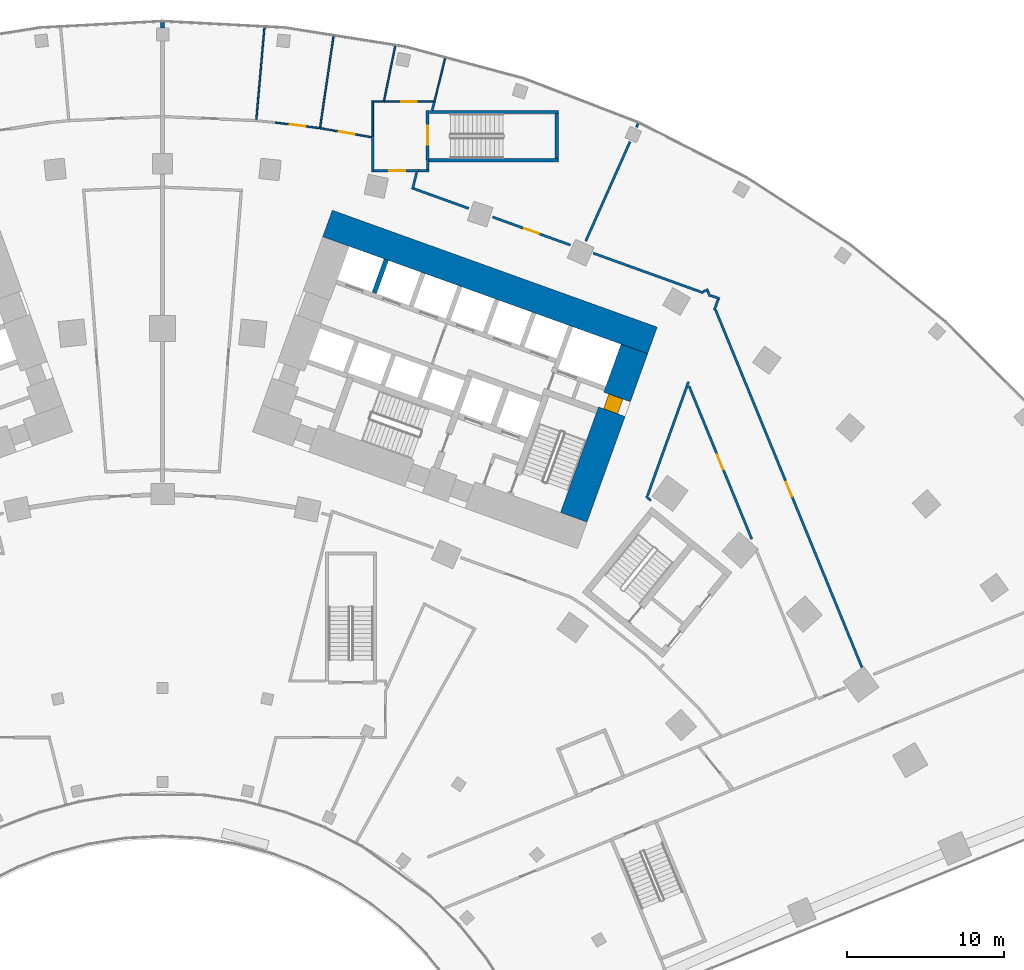
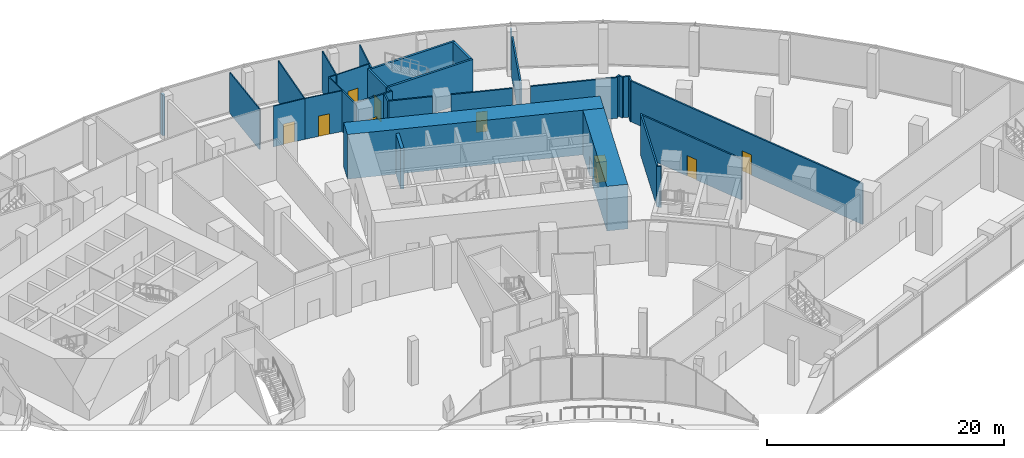
# One storey, part 28 of 39: 36 walls, 9 doors, 9 openings.
"""IFC4 building model written with IfcOpenShell, lengths in metres."""

from ifc_helpers import new_model, si_unit, direction, frame, frame_2d, origin, place, context, subcontext, project, spatial, rectangle, extrude, material, layer, layer_set, type_object, element, fill, save


model = new_model("IFC4")

# Units and contexts
model_context = context("Model", 3, precision=1e-05, world=origin(), true_north=direction((0.0, 1.0)))
body_context = subcontext(model_context, "Body", "Model", "MODEL_VIEW")
ifc_project = project(units=[si_unit("LENGTHUNIT", "METRE"), si_unit("AREAUNIT", "SQUARE_METRE"), si_unit("VOLUMEUNIT", "CUBIC_METRE"), si_unit("PLANEANGLEUNIT", "RADIAN"), si_unit("MASSUNIT", "GRAM", prefix="KILO")], contexts=[model_context])

# Site, building, storey
site_placement = place(None, origin())
site = spatial("IfcSite", under=ifc_project, at=site_placement, CompositionType="ELEMENT")
building_placement = place(site_placement, origin())
building = spatial("IfcBuilding", under=site, at=building_placement, Name="Stone Belt Terrace Tower", CompositionType="ELEMENT")
storey_placement = place(building_placement, frame((0.0, 0.0, 16.199951171875)))
storey = spatial("IfcBuildingStorey", under=building, at=storey_placement, Name="L03", CompositionType="ELEMENT", Elevation=16.199951171875)

# Walls
ifc_material_1 = material(Name="Concrete B30", Category="concrete")
ifc_layer_1 = layer(ifc_material_1, 0.25)
ifc_layer_set_1 = layer_set([ifc_layer_1], Name="Compartment wall 250")
wall_type_1 = type_object("IfcWallType", Name="Compartment wall 250", PredefinedType="SOLIDWALL", material=ifc_layer_set_1)
wall_1_placement = place(storey_placement, frame((0.0, 74.14794921875, 0.0), z_axis=(0.0, 0.0, 1.0), x_axis=(0.0, 1.0, 0.0)))
element("IfcWall", 1, at=wall_1_placement, inside=storey, type_object=wall_type_1, Name="Compartment wall L03 10", PredefinedType="SOLIDWALL", context=body_context, shape_type="SweptSolid", body=[
    extrude(rectangle(XDim=0.35205078125, YDim=0.25, at=frame_2d((0.176025390625, 0.0))), origin(), (0.0, 0.0, 1.0), 4.199951171875),
])
ifc_material_2 = material(Name="Concrete B80", Category="concrete")
ifc_layer_2 = layer(ifc_material_2, 1.800048828125)
ifc_layer_set_2 = layer_set([ifc_layer_2], Name="Core wall 1800 B80")
wall_type_2 = type_object("IfcWallType", Name="Core wall 1800 B80", PredefinedType="SHEAR", material=ifc_layer_set_2)
wall_2_placement = place(storey_placement, frame((10.509033203125, 61.685546875, 0.0), z_axis=(0.0, 0.0, 1.0), x_axis=(0.940922914687, -0.338620833112, 0.0)))
element("IfcWall", 2, at=wall_2_placement, inside=storey, type_object=wall_type_2, Name="Core B wall convex L03", PredefinedType="SHEAR", context=body_context, shape_type="SweptSolid", body=[
    extrude(rectangle(XDim=22.000244140625, YDim=1.800048828125, at=frame_2d((11.0, 0.0))), origin(), (0.0, 0.0, 1.0), 4.60009765625),
])

# Wall, opening, door
wall_3_placement = place(storey_placement, frame((26.197509765625, 42.96728515625, 0.0), z_axis=(0.0, 0.0, 1.0), x_axis=(0.338625431531, 0.940921259788, 0.0)))
wall_3 = element("IfcWall", 3, at=wall_3_placement, inside=storey, type_object=wall_type_2, Name="Core B wall end_b L03", PredefinedType="SHEAR", context=body_context, shape_type="SweptSolid", body=[
    extrude(rectangle(XDim=11.400146484375, YDim=1.800048828125, at=frame_2d((5.7001953125, 0.0))), origin(), (0.0, 0.0, 1.0), 4.60009765625),
])
opening_1_placement = place(wall_3_placement, frame((7.150146484375, 0.0, 0.0)))
opening_1 = element("IfcOpeningElement", 4, at=opening_1_placement, cuts=wall_3, Name="Opening L03-C12", PredefinedType="OPENING", context=body_context, shape_type="SweptSolid", body=[
    extrude(rectangle(XDim=1.0, YDim=2.10009765625, at=frame_2d((0.5, 1.050048828125))), frame((0.0, 0.909912109375, 0.0), z_axis=(0.0, -1.0, 0.0), x_axis=(1.0, 0.0, 0.0)), (0.0, 0.0, 1.0), 1.820068359375),
])
ifc_material_3 = material(Name="Timber door leaf", Category="wood")
door_type_1 = type_object("IfcDoorType", Name="Core room door 1000", OperationType="SINGLE_SWING_LEFT", PredefinedType="DOOR", material=ifc_material_3)
door_1_placement = place(opening_1_placement, origin())
door_1 = element("IfcDoor", 5, at=door_1_placement, inside=storey, type_object=door_type_1, Name="Door to Telecommunications riser room core B", OperationType="SINGLE_SWING_RIGHT", OverallHeight=2.10009765625, OverallWidth=1.0, PredefinedType="DOOR", context=body_context, shape_type="SweptSolid", body=[
    extrude(rectangle(XDim=1.0, YDim=2.10009765625, at=frame_2d((0.5, 1.050048828125))), frame((0.0, 0.55517578125, 0.0), z_axis=(0.0, -1.0, 0.0), x_axis=(1.0, 0.0, 0.0)), (0.0, 0.0, 1.0), 0.949951171875),
])
fill(opening_1, door_1)

# Walls
ifc_layer_3 = layer(ifc_material_2, 0.300048828125)
ifc_layer_set_3 = layer_set([ifc_layer_3], Name="Lift shaft wall 300")
wall_type_3 = type_object("IfcWallType", Name="Lift shaft wall 300", PredefinedType="SHEAR", material=ifc_layer_set_3)
wall_4_placement = place(storey_placement, frame((13.48828125, 57.265625, 0.0), z_axis=(0.0, 0.0, 1.0), x_axis=(0.338631098537, 0.940919220286, 0.0)))
element("IfcWall", 6, at=wall_4_placement, inside=storey, type_object=wall_type_3, Name="Core B wall", PredefinedType="SHEAR", context=body_context, shape_type="SweptSolid", body=[
    extrude(rectangle(XDim=2.250244140625, YDim=0.300048828125, at=frame_2d((1.125, 0.0))), origin(), (0.0, 0.0, 1.0), 4.199951171875),
])
ifc_material_4 = material(Name="Gypsum board on steel stud partition", Category="steel")
ifc_layer_4 = layer(ifc_material_4, 0.14990234375)
ifc_layer_set_4 = layer_set([ifc_layer_4], Name="Podium partition 150")
wall_type_4 = type_object("IfcWallType", Name="Podium partition 150", PredefinedType="PARTITIONING", material=ifc_layer_set_4)
wall_5_placement = place(storey_placement, frame((13.389892578125, 64.97509765625, 0.0), z_axis=(0.0, 0.0, 1.0), x_axis=(0.0, 1.0, 0.0)))
element("IfcWall", 7, at=wall_5_placement, inside=storey, type_object=wall_type_4, Name="Podium partition 150", PredefinedType="PARTITIONING", context=body_context, shape_type="SweptSolid", body=[
    extrude(rectangle(XDim=2.204833984375, YDim=0.14990234375, at=frame_2d((1.1025390625, 0.0))), origin(), (0.0, 0.0, 1.0), 4.199951171875),
])

# Wall, opening, door
wall_6_placement = place(storey_placement, frame((13.465087890625, 65.050048828125, 0.0), z_axis=(0.0, 0.0, 1.0), x_axis=(1.0, 0.0, 0.0)))
wall_6 = element("IfcWall", 8, at=wall_6_placement, inside=storey, type_object=wall_type_4, Name="Podium partition 150", PredefinedType="PARTITIONING", context=body_context, shape_type="SweptSolid", body=[
    extrude(rectangle(XDim=2.832275390625, YDim=0.14990234375, at=frame_2d((1.416015625, 0.0))), origin(), (0.0, 0.0, 1.0), 4.199951171875),
])
opening_2_placement = place(wall_6_placement, frame((0.992919921875, 0.0, 0.0)))
opening_2 = element("IfcOpeningElement", 9, at=opening_2_placement, cuts=wall_6, Name="Opening L03-P38", PredefinedType="OPENING", context=body_context, shape_type="SweptSolid", body=[
    extrude(rectangle(XDim=1.0, YDim=2.10009765625, at=frame_2d((0.5, 1.050048828125))), frame((0.0, 0.0849609375, 0.0), z_axis=(0.0, -1.0, 0.0), x_axis=(1.0, 0.0, 0.0)), (0.0, 0.0, 1.0), 0.169921875),
])
ifc_material_5 = material(Name="Steel framed door leaf", Category="steel")
door_type_2 = type_object("IfcDoorType", Name="Podium door single 1000", OperationType="SINGLE_SWING_LEFT", PredefinedType="DOOR", material=ifc_material_5)
door_2_placement = place(opening_2_placement, origin())
door_2 = element("IfcDoor", 10, at=door_2_placement, inside=storey, type_object=door_type_2, Name="Podium door single 1000", OperationType="SINGLE_SWING_RIGHT", OverallHeight=2.10009765625, OverallWidth=1.0, PredefinedType="DOOR", context=body_context, shape_type="SweptSolid", body=[
    extrude(rectangle(XDim=1.0, YDim=2.10009765625, at=frame_2d((0.5, 1.050048828125))), frame((0.0, 0.02490234375, 0.0), z_axis=(0.0, -1.0, 0.0), x_axis=(1.0, 0.0, 0.0)), (0.0, 0.0, 1.0), 0.050048828125),
])
fill(opening_2, door_2)

# Walls
wall_7_placement = place(storey_placement, frame((15.921630859375, 63.85693359375, 0.0), z_axis=(0.0, 0.0, 1.0), x_axis=(0.242535625036, 0.970142500145, 0.0)))
element("IfcWall", 11, at=wall_7_placement, inside=storey, type_object=wall_type_4, Name="Podium partition 150", PredefinedType="PARTITIONING", context=body_context, shape_type="SweptSolid", body=[
    extrude(rectangle(XDim=1.13232421875, YDim=0.14990234375, at=frame_2d((0.566162109375, 0.0))), origin(), (0.0, 0.0, 1.0), 4.199951171875),
])
wall_8_placement = place(storey_placement, frame((16.010986328125, 63.904541015625, 0.0), z_axis=(0.0, 0.0, 1.0), x_axis=(0.940825500565, -0.338891394826, 0.0)))
element("IfcWall", 12, at=wall_8_placement, inside=storey, type_object=wall_type_4, Name="Podium partition 150", PredefinedType="PARTITIONING", context=body_context, shape_type="SweptSolid", body=[
    extrude(rectangle(XDim=3.720947265625, YDim=0.14990234375, at=frame_2d((1.8603515625, 0.0))), origin(), (0.0, 0.0, 1.0), 4.199951171875),
])

# Wall, opening, door
wall_9_placement = place(storey_placement, frame((21.025634765625, 62.09814453125, 0.0), z_axis=(0.0, 0.0, 1.0), x_axis=(0.94083251558, -0.338871919207, 0.0)))
wall_9 = element("IfcWall", 13, at=wall_9_placement, inside=storey, type_object=wall_type_4, Name="Podium partition 150", PredefinedType="PARTITIONING", context=body_context, shape_type="SweptSolid", body=[
    extrude(rectangle(XDim=5.273681640625, YDim=0.14990234375, at=frame_2d((2.63671875, 0.0))), origin(), (0.0, 0.0, 1.0), 4.199951171875),
])
opening_3_placement = place(wall_9_placement, frame((2.13671875, 0.0, 0.0)))
opening_3 = element("IfcOpeningElement", 14, at=opening_3_placement, cuts=wall_9, Name="Opening L03-P35", PredefinedType="OPENING", context=body_context, shape_type="SweptSolid", body=[
    extrude(rectangle(XDim=1.0, YDim=2.10009765625, at=frame_2d((0.5, 1.050048828125))), frame((0.0, 0.0849609375, 0.0), z_axis=(0.0, -1.0, 0.0), x_axis=(1.0, 0.0, 0.0)), (0.0, 0.0, 1.0), 0.169921875),
])
door_3_placement = place(opening_3_placement, origin())
door_3 = element("IfcDoor", 15, at=door_3_placement, inside=storey, type_object=door_type_2, Name="Podium door single 1000", OperationType="SINGLE_SWING_LEFT", OverallHeight=2.10009765625, OverallWidth=1.0, PredefinedType="DOOR", context=body_context, shape_type="SweptSolid", body=[
    extrude(rectangle(XDim=1.0, YDim=2.10009765625, at=frame_2d((0.5, 1.050048828125))), frame((0.0, 0.02490234375, 0.0), z_axis=(0.0, -1.0, 0.0), x_axis=(1.0, 0.0, 0.0)), (0.0, 0.0, 1.0), 0.050048828125),
])
fill(opening_3, door_3)

# Walls
wall_10_placement = place(storey_placement, frame((16.298095703125, 65.050048828125, 0.0), z_axis=(0.0, 0.0, 1.0), x_axis=(1.0, 0.0, 0.0)))
element("IfcWall", 16, at=wall_10_placement, inside=storey, type_object=wall_type_4, Name="Podium partition 150", PredefinedType="PARTITIONING", context=body_context, shape_type="SweptSolid", body=[
    extrude(rectangle(XDim=0.6669921875, YDim=0.14990234375, at=frame_2d((0.33349609375, 0.0))), origin(), (0.0, 0.0, 1.0), 4.199951171875),
])
wall_11_placement = place(storey_placement, frame((16.889892578125, 65.125, 0.0), z_axis=(0.0, 0.0, 1.0), x_axis=(0.0, 1.0, 0.0)))
element("IfcWall", 17, at=wall_11_placement, inside=storey, type_object=wall_type_4, Name="Podium partition 150", PredefinedType="PARTITIONING", context=body_context, shape_type="SweptSolid", body=[
    extrude(rectangle(XDim=0.594970703125, YDim=0.14990234375, at=frame_2d((0.29736328125, 0.0))), origin(), (0.0, 0.0, 1.0), 4.199951171875),
])
wall_12_placement = place(storey_placement, frame((17.180419921875, 68.8994140625, 0.0), z_axis=(0.0, 0.0, 1.0), x_axis=(0.245570229012, 0.969378802441, 0.0)))
element("IfcWall", 18, at=wall_12_placement, inside=storey, type_object=wall_type_4, Name="Podium partition 150", PredefinedType="PARTITIONING", context=body_context, shape_type="SweptSolid", body=[
    extrude(rectangle(XDim=0.567626953125, YDim=0.14990234375, at=frame_2d((0.28369140625, 0.0))), origin(), (0.0, 0.0, 1.0), 4.199951171875),
])
wall_13_placement = place(storey_placement, frame((26.96142578125, 60.569091796875, 0.0), z_axis=(0.0, 0.0, 1.0), x_axis=(0.407084398772, 0.913390547508, 0.0)))
element("IfcWall", 19, at=wall_13_placement, inside=storey, type_object=wall_type_4, Name="Podium partition 150", PredefinedType="PARTITIONING", context=body_context, shape_type="SweptSolid", body=[
    extrude(rectangle(XDim=6.919189453125, YDim=0.14990234375, at=frame_2d((3.45947265625, 0.0))), origin(), (0.0, 0.0, 1.0), 4.199951171875),
])
wall_14_placement = place(storey_placement, frame((30.193359375, 67.820556640625, 0.0), z_axis=(0.0, 0.0, 1.0), x_axis=(0.406915883642, 0.91346563353, 0.0)))
element("IfcWall", 20, at=wall_14_placement, inside=storey, type_object=wall_type_4, Name="Podium partition 150", PredefinedType="PARTITIONING", context=body_context, shape_type="SweptSolid", body=[
    extrude(rectangle(XDim=0.26220703125, YDim=0.14990234375, at=frame_2d((0.131103515625, 0.0))), origin(), (0.0, 0.0, 1.0), 4.199951171875),
])
wall_15_placement = place(storey_placement, frame((27.44580078125, 59.792236328125, 0.0), z_axis=(0.0, 0.0, 1.0), x_axis=(0.94087110023, -0.338764774957, 0.0)))
element("IfcWall", 21, at=wall_15_placement, inside=storey, type_object=wall_type_4, Name="Podium partition 150", PredefinedType="PARTITIONING", context=body_context, shape_type="SweptSolid", body=[
    extrude(rectangle(XDim=7.441650390625, YDim=0.14990234375, at=frame_2d((3.720703125, 0.0))), origin(), (0.0, 0.0, 1.0), 4.199951171875),
])
wall_16_placement = place(storey_placement, frame((30.798828125, 44.301513671875, 0.0), z_axis=(0.0, 0.0, 1.0), x_axis=(0.76570486479, -0.643192086423, 0.0)))
element("IfcWall", 22, at=wall_16_placement, inside=storey, type_object=wall_type_4, Name="Podium partition 150", PredefinedType="PARTITIONING", context=body_context, shape_type="SweptSolid", body=[
    extrude(rectangle(XDim=0.406494140625, YDim=0.14990234375, at=frame_2d((0.203125, 0.0))), origin(), (0.0, 0.0, 1.0), 4.199951171875),
])
wall_17_placement = place(storey_placement, frame((30.893310546875, 44.342041015625, 0.0), z_axis=(0.0, 0.0, 1.0), x_axis=(0.338691469888, 0.940897490817, 0.0)))
element("IfcWall", 23, at=wall_17_placement, inside=storey, type_object=wall_type_4, Name="Podium partition 150", PredefinedType="PARTITIONING", context=body_context, shape_type="SweptSolid", body=[
    extrude(rectangle(XDim=7.719482421875, YDim=0.14990234375, at=frame_2d((3.85986328125, 0.0))), origin(), (0.0, 0.0, 1.0), 4.199951171875),
])

# Wall, opening, door
wall_18_placement = place(storey_placement, frame((33.54345703125, 51.320556640625, 0.0), z_axis=(0.0, 0.0, 1.0), x_axis=(0.379280396549, -0.925281784536, 0.0)))
wall_18 = element("IfcWall", 24, at=wall_18_placement, inside=storey, type_object=wall_type_4, Name="Podium partition 150", PredefinedType="PARTITIONING", context=body_context, shape_type="SweptSolid", body=[
    extrude(rectangle(XDim=10.5244140625, YDim=0.14990234375, at=frame_2d((5.26220703125, 0.0))), origin(), (0.0, 0.0, 1.0), 4.199951171875),
])
opening_4_placement = place(wall_18_placement, frame((4.72119140625, 0.0, 0.0)))
opening_4 = element("IfcOpeningElement", 25, at=opening_4_placement, cuts=wall_18, Name="Opening L03-P34", PredefinedType="OPENING", context=body_context, shape_type="SweptSolid", body=[
    extrude(rectangle(XDim=1.0, YDim=2.10009765625, at=frame_2d((0.5, 1.050048828125))), frame((0.0, 0.0849609375, 0.0), z_axis=(0.0, -1.0, 0.0), x_axis=(1.0, 0.0, 0.0)), (0.0, 0.0, 1.0), 0.169921875),
])
door_4_placement = place(opening_4_placement, origin())
door_4 = element("IfcDoor", 26, at=door_4_placement, inside=storey, type_object=door_type_2, Name="Podium door single 1000", OperationType="SINGLE_SWING_RIGHT", OverallHeight=2.10009765625, OverallWidth=1.0, PredefinedType="DOOR", context=body_context, shape_type="SweptSolid", body=[
    extrude(rectangle(XDim=1.0, YDim=2.10009765625, at=frame_2d((0.5, 1.050048828125))), frame((0.0, 0.02490234375, 0.0), z_axis=(0.0, -1.0, 0.0), x_axis=(1.0, 0.0, 0.0)), (0.0, 0.0, 1.0), 0.050048828125),
])
fill(opening_4, door_4)

# Walls
wall_19_placement = place(storey_placement, frame((34.4462890625, 57.351318359375, 0.0), z_axis=(0.0, 0.0, 1.0), x_axis=(0.931925512589, 0.36264974698, 0.0)))
element("IfcWall", 27, at=wall_19_placement, inside=storey, type_object=wall_type_4, Name="Podium partition 150", PredefinedType="PARTITIONING", context=body_context, shape_type="SweptSolid", body=[
    extrude(rectangle(XDim=0.347412109375, YDim=0.14990234375, at=frame_2d((0.173828125, 0.0))), origin(), (0.0, 0.0, 1.0), 4.199951171875),
])
wall_20_placement = place(storey_placement, frame((34.72998046875, 57.381103515625, 0.0), z_axis=(0.0, 0.0, 1.0), x_axis=(0.401395188733, -0.915904963663, 0.0)))
element("IfcWall", 28, at=wall_20_placement, inside=storey, type_object=wall_type_4, Name="Podium partition 150", PredefinedType="PARTITIONING", context=body_context, shape_type="SweptSolid", body=[
    extrude(rectangle(XDim=0.377685546875, YDim=0.14990234375, at=frame_2d((0.18896484375, 0.0))), origin(), (0.0, 0.0, 1.0), 4.199951171875),
])
wall_21_placement = place(storey_placement, frame((34.937255859375, 57.0947265625, 0.0), z_axis=(0.0, 0.0, 1.0), x_axis=(0.940325382073, -0.340276616637, 0.0)))
element("IfcWall", 29, at=wall_21_placement, inside=storey, type_object=wall_type_4, Name="Podium partition 150", PredefinedType="PARTITIONING", context=body_context, shape_type="SweptSolid", body=[
    extrude(rectangle(XDim=0.58837890625, YDim=0.14990234375, at=frame_2d((0.294189453125, 0.0))), origin(), (0.0, 0.0, 1.0), 4.199951171875),
])
wall_22_placement = place(storey_placement, frame((35.152099609375, 56.174560546875, 0.0), z_axis=(0.0, 0.0, 1.0), x_axis=(0.338104492139, 0.941108576305, 0.0)))
element("IfcWall", 30, at=wall_22_placement, inside=storey, type_object=wall_type_4, Name="Podium partition 150", PredefinedType="PARTITIONING", context=body_context, shape_type="SweptSolid", body=[
    extrude(rectangle(XDim=0.717041015625, YDim=0.14990234375, at=frame_2d((0.3583984375, 0.0))), origin(), (0.0, 0.0, 1.0), 4.199951171875),
])

# Wall, opening, door
wall_23_placement = place(storey_placement, frame((35.232421875, 56.17626953125, 0.0), z_axis=(0.0, 0.0, 1.0), x_axis=(0.378909490347, -0.925433735134, 0.0)))
wall_23 = element("IfcWall", 31, at=wall_23_placement, inside=storey, type_object=wall_type_4, Name="Podium partition 150", PredefinedType="PARTITIONING", context=body_context, shape_type="SweptSolid", body=[
    extrude(rectangle(XDim=24.671142578125, YDim=0.14990234375, at=frame_2d((12.33544921875, 0.0))), origin(), (0.0, 0.0, 1.0), 4.199951171875),
])
opening_5_placement = place(wall_23_placement, frame((11.835693359375, 0.0, 0.0)))
opening_5 = element("IfcOpeningElement", 32, at=opening_5_placement, cuts=wall_23, Name="Opening L03-P33", PredefinedType="OPENING", context=body_context, shape_type="SweptSolid", body=[
    extrude(rectangle(XDim=1.0, YDim=2.10009765625, at=frame_2d((0.5, 1.050048828125))), frame((0.0, 0.0849609375, 0.0), z_axis=(0.0, -1.0, 0.0), x_axis=(1.0, 0.0, 0.0)), (0.0, 0.0, 1.0), 0.169921875),
])
door_5_placement = place(opening_5_placement, origin())
door_5 = element("IfcDoor", 33, at=door_5_placement, inside=storey, type_object=door_type_2, Name="Podium door single 1000", OperationType="SINGLE_SWING_LEFT", OverallHeight=2.10009765625, OverallWidth=1.0, PredefinedType="DOOR", context=body_context, shape_type="SweptSolid", body=[
    extrude(rectangle(XDim=1.0, YDim=2.10009765625, at=frame_2d((0.5, 1.050048828125))), frame((0.0, 0.02490234375, 0.0), z_axis=(0.0, -1.0, 0.0), x_axis=(1.0, 0.0, 0.0)), (0.0, 0.0, 1.0), 0.050048828125),
])
fill(opening_5, door_5)

ifc_layer_5 = layer(ifc_material_1, 0.199951171875)
ifc_layer_set_5 = layer_set([ifc_layer_5], Name="Podium stair and shaft wall 200")
wall_type_5 = type_object("IfcWallType", Name="Podium stair and shaft wall 200", PredefinedType="SOLIDWALL", material=ifc_layer_set_5)
wall_24_placement = place(storey_placement, frame((16.889892578125, 65.719970703125, 0.0), z_axis=(0.0, 0.0, 1.0), x_axis=(0.0, 1.0, 0.0)))
wall_24 = element("IfcWall", 34, at=wall_24_placement, inside=storey, type_object=wall_type_5, Name="Podium stair and shaft wall 200", PredefinedType="SOLIDWALL", context=body_context, shape_type="SweptSolid", body=[
    extrude(rectangle(XDim=3.159912109375, YDim=0.199951171875, at=frame_2d((1.580078125, 0.0))), origin(), (0.0, 0.0, 1.0), 4.199951171875),
])
opening_6_placement = place(wall_24_placement, frame((0.97998046875, 0.0, 0.0)))
opening_6 = element("IfcOpeningElement", 35, at=opening_6_placement, cuts=wall_24, Name="Opening L03-P08", PredefinedType="OPENING", context=body_context, shape_type="SweptSolid", body=[
    extrude(rectangle(XDim=1.199951171875, YDim=2.10009765625, at=frame_2d((0.60009765625, 1.050048828125))), frame((0.0, 0.10986328125, 0.0), z_axis=(0.0, -1.0, 0.0), x_axis=(1.0, 0.0, 0.0)), (0.0, 0.0, 1.0), 0.219970703125),
])
door_type_3 = type_object("IfcDoorType", Name="Podium door fire stair 1200", OperationType="SINGLE_SWING_LEFT", PredefinedType="DOOR", material=ifc_material_5)
door_6_placement = place(opening_6_placement, origin())
door_6 = element("IfcDoor", 36, at=door_6_placement, inside=storey, type_object=door_type_3, Name="Podium door fire stair 1200", OperationType="SINGLE_SWING_RIGHT", OverallHeight=2.10009765625, OverallWidth=1.199951171875, PredefinedType="DOOR", context=body_context, shape_type="SweptSolid", body=[
    extrude(rectangle(XDim=1.199951171875, YDim=2.10009765625, at=frame_2d((0.60009765625, 1.050048828125))), frame((0.0, 0.02490234375, 0.0), z_axis=(0.0, -1.0, 0.0), x_axis=(1.0, 0.0, 0.0)), (0.0, 0.0, 1.0), 0.050048828125),
])
fill(opening_6, door_6)

# Walls
wall_25_placement = place(storey_placement, frame((16.989990234375, 65.719970703125, 0.0), z_axis=(0.0, 0.0, 1.0), x_axis=(1.0, 0.0, 0.0)))
element("IfcWall", 37, at=wall_25_placement, inside=storey, type_object=wall_type_5, Name="Podium stair and shaft wall 200", PredefinedType="SOLIDWALL", context=body_context, shape_type="SweptSolid", body=[
    extrude(rectangle(XDim=8.219970703125, YDim=0.199951171875, at=frame_2d((4.10986328125, 0.0))), origin(), (0.0, 0.0, 1.0), 4.199951171875),
])
wall_26_placement = place(storey_placement, frame((16.991943359375, 68.780029296875, 0.0), z_axis=(0.0, 0.0, 1.0), x_axis=(1.0, 0.0, 0.0)))
element("IfcWall", 38, at=wall_26_placement, inside=storey, type_object=wall_type_5, Name="Podium stair and shaft wall 200", PredefinedType="SOLIDWALL", context=body_context, shape_type="SweptSolid", body=[
    extrude(rectangle(XDim=8.218017578125, YDim=0.199951171875, at=frame_2d((4.10888671875, 0.0))), origin(), (0.0, 0.0, 1.0), 4.199951171875),
])
wall_27_placement = place(storey_placement, frame((25.110107421875, 65.820068359375, 0.0), z_axis=(0.0, 0.0, 1.0), x_axis=(0.0, 1.0, 0.0)))
element("IfcWall", 39, at=wall_27_placement, inside=storey, type_object=wall_type_5, Name="Podium stair and shaft wall 200", PredefinedType="SOLIDWALL", context=body_context, shape_type="SweptSolid", body=[
    extrude(rectangle(XDim=2.85986328125, YDim=0.199951171875, at=frame_2d((1.429931640625, 0.0))), origin(), (0.0, 0.0, 1.0), 4.199951171875),
])
ifc_material_6 = material(Name="Moisture-resistant board on steel stud partition", Category="steel")
ifc_layer_6 = layer(ifc_material_6, 0.10009765625)
ifc_layer_set_6 = layer_set([ifc_layer_6], Name="Podium toilet partition 100")
wall_type_6 = type_object("IfcWallType", Name="Podium toilet partition 100", PredefinedType="PARTITIONING", material=ifc_layer_set_6)
wall_28_placement = place(storey_placement, frame((5.9765625, 68.314697265625, 0.0), z_axis=(0.0, 0.0, 1.0), x_axis=(0.087488496258, 0.996165529931, 0.0)))
element("IfcWall", 40, at=wall_28_placement, inside=storey, type_object=wall_type_6, Name="Podium toilet partition 100", PredefinedType="PARTITIONING", context=body_context, shape_type="SweptSolid", body=[
    extrude(rectangle(XDim=5.92431640625, YDim=0.10009765625, at=frame_2d((2.962158203125, 0.0))), origin(), (0.0, 0.0, 1.0), 4.199951171875),
])

# Wall, opening, door
wall_29_placement = place(storey_placement, frame((7.16064453125, 68.119873046875, 0.0), z_axis=(0.0, 0.0, 1.0), x_axis=(0.99223102854, -0.124408946633, 0.0)))
wall_29 = element("IfcWall", 41, at=wall_29_placement, inside=storey, type_object=wall_type_6, Name="Podium toilet partition 100", PredefinedType="PARTITIONING", context=body_context, shape_type="SweptSolid", body=[
    extrude(rectangle(XDim=2.890625, YDim=0.10009765625, at=frame_2d((1.4453125, 0.0))), origin(), (0.0, 0.0, 1.0), 4.199951171875),
])
opening_7_placement = place(wall_29_placement, frame((0.9453125, 0.0, 0.0)))
opening_7 = element("IfcOpeningElement", 42, at=opening_7_placement, cuts=wall_29, Name="Opening L03-P14", PredefinedType="OPENING", context=body_context, shape_type="SweptSolid", body=[
    extrude(rectangle(XDim=1.0, YDim=2.10009765625, at=frame_2d((0.5, 1.050048828125))), frame((0.0, 0.06005859375, 0.0), z_axis=(0.0, -1.0, 0.0), x_axis=(1.0, 0.0, 0.0)), (0.0, 0.0, 1.0), 0.1201171875),
])
door_7_placement = place(opening_7_placement, origin())
door_7 = element("IfcDoor", 43, at=door_7_placement, inside=storey, type_object=door_type_2, Name="Podium door single 1000", OperationType="SINGLE_SWING_RIGHT", OverallHeight=2.10009765625, OverallWidth=1.0, PredefinedType="DOOR", context=body_context, shape_type="SweptSolid", body=[
    extrude(rectangle(XDim=1.0, YDim=2.10009765625, at=frame_2d((0.5, 1.050048828125))), frame((0.0, 0.02490234375, 0.0), z_axis=(0.0, -1.0, 0.0), x_axis=(1.0, 0.0, 0.0)), (0.0, 0.0, 1.0), 0.050048828125),
])
fill(opening_7, door_7)

# Wall
wall_30_placement = place(storey_placement, frame((10.037353515625, 67.8095703125, 0.0), z_axis=(0.0, 0.0, 1.0), x_axis=(0.145664044833, 0.989334112443, 0.0)))
element("IfcWall", 44, at=wall_30_placement, inside=storey, type_object=wall_type_6, Name="Podium toilet partition 100", PredefinedType="PARTITIONING", context=body_context, shape_type="SweptSolid", body=[
    extrude(rectangle(XDim=5.95166015625, YDim=0.10009765625, at=frame_2d((2.975830078125, 0.0))), origin(), (0.0, 0.0, 1.0), 4.199951171875),
])

# Wall, opening, door
wall_31_placement = place(storey_placement, frame((10.03125, 67.759765625, 0.0), z_axis=(0.0, 0.0, 1.0), x_axis=(0.984936469685, -0.172916600371, 0.0)))
wall_31 = element("IfcWall", 45, at=wall_31_placement, inside=storey, type_object=wall_type_6, Name="Podium toilet partition 100", PredefinedType="PARTITIONING", context=body_context, shape_type="SweptSolid", body=[
    extrude(rectangle(XDim=3.3349609375, YDim=0.10009765625, at=frame_2d((1.66748046875, 0.0))), origin(), (0.0, 0.0, 1.0), 4.199951171875),
])
opening_8_placement = place(wall_31_placement, frame((1.23046875, 0.0, 0.0)))
opening_8 = element("IfcOpeningElement", 46, at=opening_8_placement, cuts=wall_31, Name="Opening L03-P15", PredefinedType="OPENING", context=body_context, shape_type="SweptSolid", body=[
    extrude(rectangle(XDim=1.0, YDim=2.10009765625, at=frame_2d((0.5, 1.050048828125))), frame((0.0, 0.06005859375, 0.0), z_axis=(0.0, -1.0, 0.0), x_axis=(1.0, 0.0, 0.0)), (0.0, 0.0, 1.0), 0.1201171875),
])
door_8_placement = place(opening_8_placement, origin())
door_8 = element("IfcDoor", 47, at=door_8_placement, inside=storey, type_object=door_type_2, Name="Podium door single 1000", OperationType="SINGLE_SWING_LEFT", OverallHeight=2.10009765625, OverallWidth=1.0, PredefinedType="DOOR", context=body_context, shape_type="SweptSolid", body=[
    extrude(rectangle(XDim=1.0, YDim=2.10009765625, at=frame_2d((0.5, 1.050048828125))), frame((0.0, 0.02490234375, 0.0), z_axis=(0.0, -1.0, 0.0), x_axis=(1.0, 0.0, 0.0)), (0.0, 0.0, 1.0), 0.050048828125),
])
fill(opening_8, door_8)

# Walls
wall_32_placement = place(storey_placement, frame((13.389892578125, 67.220703125, 0.0), z_axis=(0.0, 0.0, 1.0), x_axis=(0.0, 1.0, 0.0)))
element("IfcWall", 48, at=wall_32_placement, inside=storey, type_object=wall_type_6, Name="Podium toilet partition 100", PredefinedType="PARTITIONING", context=body_context, shape_type="SweptSolid", body=[
    extrude(rectangle(XDim=2.279296875, YDim=0.10009765625, at=frame_2d((1.1396484375, 0.0))), origin(), (0.0, 0.0, 1.0), 4.199951171875),
])
wall_33_placement = place(storey_placement, frame((13.43994140625, 69.449951171875, 0.0), z_axis=(0.0, 0.0, 1.0), x_axis=(1.0, 0.0, 0.0)))
element("IfcWall", 49, at=wall_33_placement, inside=storey, type_object=wall_type_6, Name="Podium toilet partition 100", PredefinedType="PARTITIONING", context=body_context, shape_type="SweptSolid", body=[
    extrude(rectangle(XDim=0.60009765625, YDim=0.10009765625, at=frame_2d((0.300048828125, 0.0))), origin(), (0.0, 0.0, 1.0), 4.199951171875),
])
wall_34_placement = place(storey_placement, frame((14.08984375, 69.39990234375, 0.0), z_axis=(0.0, 0.0, 1.0), x_axis=(0.199861339094, 0.979824190932, 0.0)))
element("IfcWall", 50, at=wall_34_placement, inside=storey, type_object=wall_type_6, Name="Podium toilet partition 100", PredefinedType="PARTITIONING", context=body_context, shape_type="SweptSolid", body=[
    extrude(rectangle(XDim=3.68408203125, YDim=0.10009765625, at=frame_2d((1.842041015625, 0.0))), origin(), (0.0, 0.0, 1.0), 4.199951171875),
])

# Wall, opening, door
wall_35_placement = place(storey_placement, frame((14.15087890625, 69.449951171875, 0.0), z_axis=(0.0, 0.0, 1.0), x_axis=(1.0, 0.0, 0.0)))
wall_35 = element("IfcWall", 51, at=wall_35_placement, inside=storey, type_object=wall_type_6, Name="Podium toilet partition 100", PredefinedType="PARTITIONING", context=body_context, shape_type="SweptSolid", body=[
    extrude(rectangle(XDim=3.091796875, YDim=0.10009765625, at=frame_2d((1.5458984375, 0.0))), origin(), (0.0, 0.0, 1.0), 4.199951171875),
])
opening_9_placement = place(wall_35_placement, frame((1.0458984375, 0.0, 0.0)))
opening_9 = element("IfcOpeningElement", 52, at=opening_9_placement, cuts=wall_35, Name="Opening L03-P16", PredefinedType="OPENING", context=body_context, shape_type="SweptSolid", body=[
    extrude(rectangle(XDim=1.0, YDim=2.10009765625, at=frame_2d((0.5, 1.050048828125))), frame((0.0, 0.06005859375, 0.0), z_axis=(0.0, -1.0, 0.0), x_axis=(1.0, 0.0, 0.0)), (0.0, 0.0, 1.0), 0.1201171875),
])
door_9_placement = place(opening_9_placement, origin())
door_9 = element("IfcDoor", 53, at=door_9_placement, inside=storey, type_object=door_type_2, Name="Podium door single 1000", OperationType="SINGLE_SWING_RIGHT", OverallHeight=2.10009765625, OverallWidth=1.0, PredefinedType="DOOR", context=body_context, shape_type="SweptSolid", body=[
    extrude(rectangle(XDim=1.0, YDim=2.10009765625, at=frame_2d((0.5, 1.050048828125))), frame((0.0, 0.02490234375, 0.0), z_axis=(0.0, -1.0, 0.0), x_axis=(1.0, 0.0, 0.0)), (0.0, 0.0, 1.0), 0.050048828125),
])
fill(opening_9, door_9)

# Wall
wall_36_placement = place(storey_placement, frame((17.320068359375, 69.4501953125, 0.0), z_axis=(0.0, 0.0, 1.0), x_axis=(0.239999230178, 0.97077307828, 0.0)))
element("IfcWall", 54, at=wall_36_placement, inside=storey, type_object=wall_type_6, Name="Podium toilet partition 100", PredefinedType="PARTITIONING", context=body_context, shape_type="SweptSolid", body=[
    extrude(rectangle(XDim=2.922607421875, YDim=0.10009765625, at=frame_2d((1.46142578125, 0.0))), origin(), (0.0, 0.0, 1.0), 4.199951171875),
])

save(model, "model.ifc")
